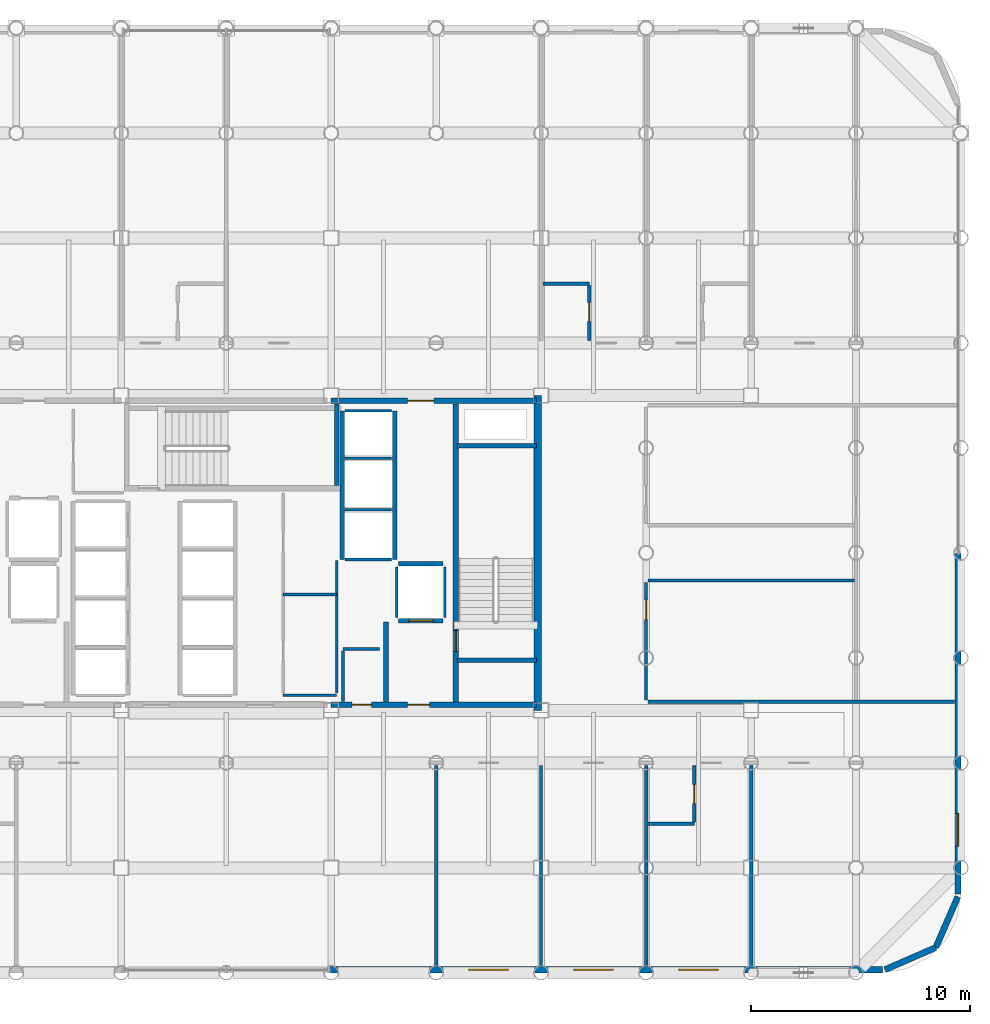
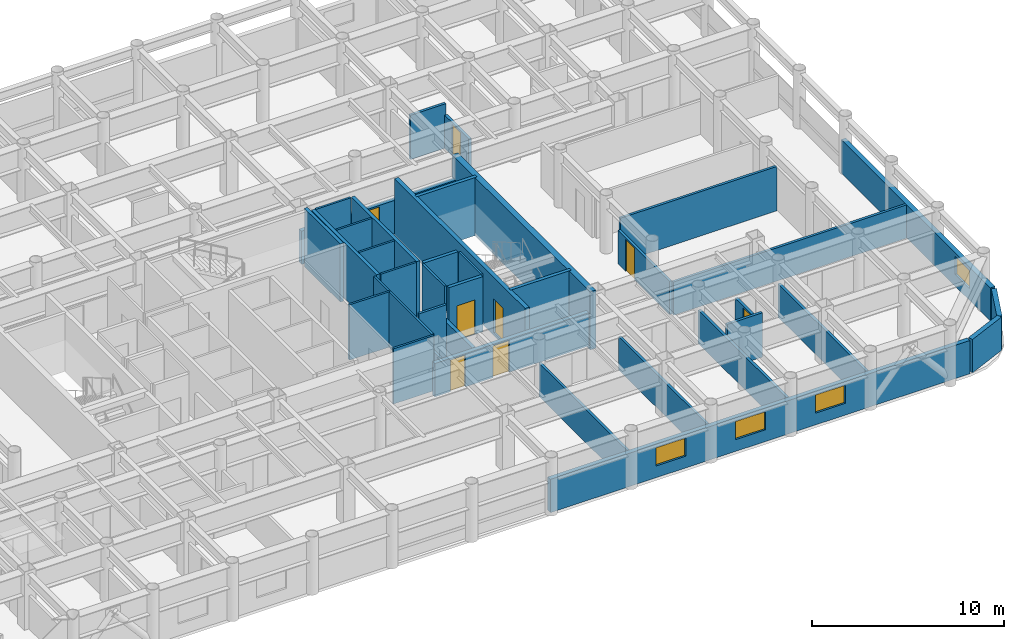
# One storey, part 19 of 22: 38 walls, 8 doors, 4 windows, 12 openings.
"""IFC4 building model written with IfcOpenShell, lengths in metres."""

from ifc_helpers import new_model, si_unit, direction, frame, frame_2d, origin, place, context, subcontext, project, spatial, rectangle, extrude, material, layer, layer_set, type_object, element, fill, save


model = new_model("IFC4")

# Units and contexts
model_context = context("Model", 3, precision=1e-05, world=origin(), true_north=direction((0.0, 1.0)))
body_context = subcontext(model_context, "Body", "Model", "MODEL_VIEW")
ifc_project = project(units=[si_unit("LENGTHUNIT", "METRE"), si_unit("AREAUNIT", "SQUARE_METRE"), si_unit("VOLUMEUNIT", "CUBIC_METRE"), si_unit("PLANEANGLEUNIT", "RADIAN"), si_unit("MASSUNIT", "GRAM", prefix="KILO")], contexts=[model_context])

# Site, building, storey
site_placement = place(None, origin())
site = spatial("IfcSite", under=ifc_project, at=site_placement, CompositionType="ELEMENT")
building_placement = place(site_placement, origin())
building = spatial("IfcBuilding", under=site, at=building_placement, Name="Kallvorn Hotel Tower", CompositionType="ELEMENT")
storey_placement = place(building_placement, frame((0.0, 0.0, 95.199951171875)))
storey = spatial("IfcBuildingStorey", under=building, at=storey_placement, Name="L22", CompositionType="ELEMENT", Elevation=95.199951171875)

# Walls
ifc_material_1 = material(Name="Concrete C50/60", Category="concrete")
ifc_layer_1 = layer(ifc_material_1, 0.35009765625)
ifc_layer_set_1 = layer_set([ifc_layer_1], Name="WL_CORE_350")
wall_type_1 = type_object("IfcWallType", Name="WL_CORE_350", PredefinedType="SHEAR", material=ifc_layer_set_1)
wall_1_placement = place(storey_placement, frame((14.239990234375, -7.199951171875, -0.179931640625), z_axis=(0.0, 0.0, 1.0), x_axis=(0.0, 1.0, 0.0)))
element("IfcWall", 1, at=wall_1_placement, inside=storey, type_object=wall_type_1, Name="L22 Core East Shear Wall", PredefinedType="SHEAR", context=body_context, shape_type="SweptSolid", body=[
    extrude(rectangle(XDim=14.39990234375, YDim=0.35009765625, at=frame_2d((7.199951171875, 0.0))), origin(), (0.0, 0.0, 1.0), 3.699951171875),
])
ifc_material_2 = material(Name="Fire-rated double-layer acoustic gypsum drywall EI 60")
ifc_layer_2 = layer(ifc_material_2, 0.159912109375)
ifc_layer_set_2 = layer_set([ifc_layer_2], Name="WL_DEMISE_160")
wall_type_2 = type_object("IfcWallType", Name="WL_DEMISE_160", PredefinedType="PARTITIONING", material=ifc_layer_set_2)
wall_2_placement = place(storey_placement, frame((19.280029296875, -12.39501953125, 0.0), z_axis=(0.0, 0.0, 1.0), x_axis=(1.0, 0.0, 0.0)))
element("IfcWall", 2, at=wall_2_placement, inside=storey, type_object=wall_type_2, Name="L22 Suite 2204 Deluxe King Room Partition", PredefinedType="PARTITIONING", context=body_context, shape_type="SweptSolid", body=[
    extrude(rectangle(XDim=2.1298828125, YDim=0.159912109375, at=frame_2d((1.06494140625, 0.0))), origin(), (0.0, 0.0, 1.0), 2.820068359375),
])
wall_3_placement = place(storey_placement, frame((14.47998046875, 12.320068359375, 0.0), z_axis=(0.0, 0.0, 1.0), x_axis=(1.0, 0.0, 0.0)))
element("IfcWall", 3, at=wall_3_placement, inside=storey, type_object=wall_type_2, Name="L22 Suite 2206 Standard King Room Partition", PredefinedType="PARTITIONING", context=body_context, shape_type="SweptSolid", body=[
    extrude(rectangle(XDim=2.130126953125, YDim=0.159912109375, at=frame_2d((1.06494140625, 0.0))), origin(), (0.0, 0.0, 1.0), 2.820068359375),
])

# Wall, opening, door
wall_4_placement = place(storey_placement, frame((16.610107421875, 9.719970703125, 0.0), z_axis=(0.0, 0.0, 1.0), x_axis=(0.0, 1.0, 0.0)))
wall_4 = element("IfcWall", 4, at=wall_4_placement, inside=storey, type_object=wall_type_2, Name="L22 Suite 2206 Standard King Room Partition", PredefinedType="PARTITIONING", context=body_context, shape_type="SweptSolid", body=[
    extrude(rectangle(XDim=2.51513671875, YDim=0.159912109375, at=frame_2d((1.257568359375, 0.0))), origin(), (0.0, 0.0, 1.0), 2.1201171875),
])
opening_1_placement = place(wall_4_placement, frame((0.8701171875, 0.0, 0.0)))
opening_1 = element("IfcOpeningElement", 5, at=opening_1_placement, cuts=wall_4, Name="Opening BD-IA", PredefinedType="OPENING", context=body_context, shape_type="SweptSolid", body=[
    extrude(rectangle(XDim=0.860107421875, YDim=2.02001953125, at=frame_2d((0.43017578125, 1.010009765625))), frame((0.0, 0.094970703125, 0.0), z_axis=(0.0, -1.0, 0.0), x_axis=(1.0, 0.0, 0.0)), (0.0, 0.0, 1.0), 0.18994140625),
])
ifc_material_3 = material(Name="Solid-core walnut veneer fire-rated timber door leaf", Category="wood")
door_type_1 = type_object("IfcDoorType", Name="DR_BATH_860x2020", OperationType="NOTDEFINED", PredefinedType="DOOR", material=ifc_material_3)
door_1_placement = place(opening_1_placement, origin())
door_1 = element("IfcDoor", 6, at=door_1_placement, inside=storey, type_object=door_type_1, Name="L22 Suite 2206 En-Suite Bathroom Door", OperationType="SINGLE_SWING_RIGHT", OverallHeight=2.02001953125, OverallWidth=0.860107421875, PredefinedType="DOOR", context=body_context, shape_type="SweptSolid", body=[
    extrude(rectangle(XDim=0.860107421875, YDim=2.02001953125, at=frame_2d((0.43017578125, 1.010009765625))), frame((0.0, 0.02490234375, 0.0), z_axis=(0.0, -1.0, 0.0), x_axis=(1.0, 0.0, 0.0)), (0.0, 0.0, 1.0), 0.050048828125),
])
fill(opening_1, door_1)

# Wall
wall_5_placement = place(storey_placement, frame((19.199951171875, -18.909912109375, 0.0), z_axis=(0.0, 0.0, 1.0), x_axis=(0.0, 1.0, 0.0)))
element("IfcWall", 7, at=wall_5_placement, inside=storey, type_object=wall_type_2, Name="L22 Suite 2204 Deluxe King Room Partition", PredefinedType="PARTITIONING", context=body_context, shape_type="SweptSolid", body=[
    extrude(rectangle(XDim=9.18994140625, YDim=0.159912109375, at=frame_2d((4.594970703125, 0.0))), origin(), (0.0, 0.0, 1.0), 2.1201171875),
])

# Wall, opening, door
wall_6_placement = place(storey_placement, frame((21.409912109375, -12.31005859375, 0.0), z_axis=(0.0, 0.0, 1.0), x_axis=(0.0, 1.0, 0.0)))
wall_6 = element("IfcWall", 8, at=wall_6_placement, inside=storey, type_object=wall_type_2, Name="L22 Suite 2204 Deluxe King Room Partition", PredefinedType="PARTITIONING", context=body_context, shape_type="SweptSolid", body=[
    extrude(rectangle(XDim=2.590087890625, YDim=0.159912109375, at=frame_2d((1.294921875, 0.0))), origin(), (0.0, 0.0, 1.0), 2.1201171875),
])
opening_2_placement = place(wall_6_placement, frame((0.860107421875, 0.0, 0.0)))
opening_2 = element("IfcOpeningElement", 9, at=opening_2_placement, cuts=wall_6, Name="Opening BD-IA", PredefinedType="OPENING", context=body_context, shape_type="SweptSolid", body=[
    extrude(rectangle(XDim=0.860107421875, YDim=2.02001953125, at=frame_2d((0.43017578125, 1.010009765625))), frame((0.0, 0.094970703125, 0.0), z_axis=(0.0, -1.0, 0.0), x_axis=(1.0, 0.0, 0.0)), (0.0, 0.0, 1.0), 0.18994140625),
])
door_2_placement = place(opening_2_placement, origin())
door_2 = element("IfcDoor", 10, at=door_2_placement, inside=storey, type_object=door_type_1, Name="L22 Suite 2204 En-Suite Bathroom Door", OperationType="SINGLE_SWING_RIGHT", OverallHeight=2.02001953125, OverallWidth=0.860107421875, PredefinedType="DOOR", context=body_context, shape_type="SweptSolid", body=[
    extrude(rectangle(XDim=0.860107421875, YDim=2.02001953125, at=frame_2d((0.43017578125, 1.010009765625))), frame((0.0, 0.02490234375, 0.0), z_axis=(0.0, -1.0, 0.0), x_axis=(1.0, 0.0, 0.0)), (0.0, 0.0, 1.0), 0.050048828125),
])
fill(opening_2, door_2)

# Walls
wall_7_placement = place(storey_placement, frame((24.0, -18.909912109375, 0.0), z_axis=(0.0, 0.0, 1.0), x_axis=(0.0, 1.0, 0.0)))
element("IfcWall", 11, at=wall_7_placement, inside=storey, type_object=wall_type_2, Name="L22 Suite 2204 Deluxe King Room Partition", PredefinedType="PARTITIONING", context=body_context, shape_type="SweptSolid", body=[
    extrude(rectangle(XDim=9.18994140625, YDim=0.159912109375, at=frame_2d((4.594970703125, 0.0))), origin(), (0.0, 0.0, 1.0), 2.1201171875),
])
ifc_material_4 = material(Name="Precast basalt-clad insulated concrete wall C40/50", Category="masonry")
ifc_layer_3 = layer(ifc_material_4, 0.280029296875)
ifc_layer_set_3 = layer_set([ifc_layer_3], Name="WL_EXT_LOGGIA_280")
wall_type_3 = type_object("IfcWallType", Name="WL_EXT_LOGGIA_280", PredefinedType="SOLIDWALL", material=ifc_layer_set_3)
wall_8_placement = place(storey_placement, frame((30.120849609375, -19.057861328125, 0.0), z_axis=(0.0, 0.0, 1.0), x_axis=(0.917060872934, 0.398747232384, 0.0)))
element("IfcWall", 12, at=wall_8_placement, inside=storey, type_object=wall_type_3, Name="L22 Rounded Corner Exterior Wall SE1", PredefinedType="SOLIDWALL", context=body_context, shape_type="SweptSolid", body=[
    extrude(rectangle(XDim=2.5361328125, YDim=0.280029296875, at=frame_2d((1.26806640625, 0.0))), origin(), (0.0, 0.0, 1.0), 2.1201171875),
])
wall_9_placement = place(storey_placement, frame((32.446533203125, -18.046630859375, 0.0), z_axis=(0.0, 0.0, 1.0), x_axis=(0.398792985289, 0.917040977756, 0.0)))
element("IfcWall", 13, at=wall_9_placement, inside=storey, type_object=wall_type_3, Name="L22 Rounded Corner Exterior Wall SE2", PredefinedType="SOLIDWALL", context=body_context, shape_type="SweptSolid", body=[
    extrude(rectangle(XDim=2.536376953125, YDim=0.280029296875, at=frame_2d((1.26806640625, 0.0))), origin(), (0.0, 0.0, 1.0), 2.1201171875),
])

# Wall, openings, windows
wall_10_placement = place(storey_placement, frame((4.75, -19.06005859375, 0.0), z_axis=(0.0, 0.0, 1.0), x_axis=(1.0, 0.0, 0.0)))
wall_10 = element("IfcWall", 14, at=wall_10_placement, inside=storey, type_object=wall_type_3, Name="L22 Exterior Envelope Wall EW-L22-SE", PredefinedType="SOLIDWALL", context=body_context, shape_type="SweptSolid", body=[
    extrude(rectangle(XDim=25.25, YDim=0.280029296875, at=frame_2d((12.625, 0.0))), origin(), (0.0, 0.0, 1.0), 2.1201171875),
])
opening_3_placement = place(wall_10_placement, frame((6.35009765625, 0.0, 0.75)))
opening_3 = element("IfcOpeningElement", 15, at=opening_3_placement, cuts=wall_10, Name="Opening W04A", PredefinedType="OPENING", context=body_context, shape_type="SweptSolid", body=[
    extrude(rectangle(XDim=1.800048828125, YDim=1.14990234375, at=frame_2d((0.89990234375, 0.574951171875))), frame((0.0, 0.155029296875, 0.0), z_axis=(0.0, -1.0, 0.0), x_axis=(1.0, 0.0, 0.0)), (0.0, 0.0, 1.0), 0.31005859375),
])
opening_4_placement = place(wall_10_placement, frame((11.14990234375, 0.0, 0.75)))
opening_4 = element("IfcOpeningElement", 16, at=opening_4_placement, cuts=wall_10, Name="Opening W04A", PredefinedType="OPENING", context=body_context, shape_type="SweptSolid", body=[
    extrude(rectangle(XDim=1.800048828125, YDim=1.14990234375, at=frame_2d((0.89990234375, 0.574951171875))), frame((0.0, 0.155029296875, 0.0), z_axis=(0.0, -1.0, 0.0), x_axis=(1.0, 0.0, 0.0)), (0.0, 0.0, 1.0), 0.31005859375),
])
opening_5_placement = place(wall_10_placement, frame((15.949951171875, 0.0, 0.75)))
opening_5 = element("IfcOpeningElement", 17, at=opening_5_placement, cuts=wall_10, Name="Opening W04A", PredefinedType="OPENING", context=body_context, shape_type="SweptSolid", body=[
    extrude(rectangle(XDim=1.800048828125, YDim=1.14990234375, at=frame_2d((0.89990234375, 0.574951171875))), frame((0.0, 0.155029296875, 0.0), z_axis=(0.0, -1.0, 0.0), x_axis=(1.0, 0.0, 0.0)), (0.0, 0.0, 1.0), 0.31005859375),
])
ifc_material_5 = material(Name="Double-glazed low-e solar-control dark glass", Category="glass")
window_type_1 = type_object("IfcWindowType", Name="WN_HTL_1800x1150", PartitioningType="SINGLE_PANEL", PredefinedType="WINDOW", material=ifc_material_5)
window_1_placement = place(opening_3_placement, origin())
window_1 = element("IfcWindow", 18, at=window_1_placement, inside=storey, type_object=window_type_1, Name="L22 Guestroom Exterior Window 06", OverallHeight=1.14990234375, OverallWidth=1.800048828125, PartitioningType="SINGLE_PANEL", PredefinedType="WINDOW", context=body_context, shape_type="SweptSolid", body=[
    extrude(rectangle(XDim=1.800048828125, YDim=1.14990234375, at=frame_2d((0.89990234375, 0.574951171875))), frame((0.0, 0.030029296875, 0.0), z_axis=(0.0, -1.0, 0.0), x_axis=(1.0, 0.0, 0.0)), (0.0, 0.0, 1.0), 0.06005859375),
])
fill(opening_3, window_1)
window_2_placement = place(opening_4_placement, origin())
window_2 = element("IfcWindow", 19, at=window_2_placement, inside=storey, type_object=window_type_1, Name="L22 Guestroom Exterior Window 07", OverallHeight=1.14990234375, OverallWidth=1.800048828125, PartitioningType="SINGLE_PANEL", PredefinedType="WINDOW", context=body_context, shape_type="SweptSolid", body=[
    extrude(rectangle(XDim=1.800048828125, YDim=1.14990234375, at=frame_2d((0.89990234375, 0.574951171875))), frame((0.0, 0.030029296875, 0.0), z_axis=(0.0, -1.0, 0.0), x_axis=(1.0, 0.0, 0.0)), (0.0, 0.0, 1.0), 0.06005859375),
])
fill(opening_4, window_2)
window_3_placement = place(opening_5_placement, origin())
window_3 = element("IfcWindow", 20, at=window_3_placement, inside=storey, type_object=window_type_1, Name="L22 Guestroom Exterior Window 08", OverallHeight=1.14990234375, OverallWidth=1.800048828125, PartitioningType="SINGLE_PANEL", PredefinedType="WINDOW", context=body_context, shape_type="SweptSolid", body=[
    extrude(rectangle(XDim=1.800048828125, YDim=1.14990234375, at=frame_2d((0.89990234375, 0.574951171875))), frame((0.0, 0.030029296875, 0.0), z_axis=(0.0, -1.0, 0.0), x_axis=(1.0, 0.0, 0.0)), (0.0, 0.0, 1.0), 0.06005859375),
])
fill(opening_5, window_3)

# Wall, opening, window
wall_11_placement = place(storey_placement, frame((33.4599609375, -15.60009765625, 0.0), z_axis=(0.0, 0.0, 1.0), x_axis=(0.0, 1.0, 0.0)))
wall_11 = element("IfcWall", 21, at=wall_11_placement, inside=storey, type_object=wall_type_3, Name="L22 Exterior Envelope Wall EW-L22-ES", PredefinedType="SOLIDWALL", context=body_context, shape_type="SweptSolid", body=[
    extrude(rectangle(XDim=15.580078125, YDim=0.280029296875, at=frame_2d((7.7900390625, 0.0))), origin(), (0.0, 0.0, 1.0), 2.1201171875),
])
opening_6_placement = place(wall_11_placement, frame((2.18994140625, 0.0, 0.75)))
opening_6 = element("IfcOpeningElement", 22, at=opening_6_placement, cuts=wall_11, Name="Opening W05A", PredefinedType="OPENING", context=body_context, shape_type="SweptSolid", body=[
    extrude(rectangle(XDim=1.5, YDim=1.14990234375, at=frame_2d((0.75, 0.574951171875))), frame((0.0, 0.155029296875, 0.0), z_axis=(0.0, -1.0, 0.0), x_axis=(1.0, 0.0, 0.0)), (0.0, 0.0, 1.0), 0.31005859375),
])
ifc_material_6 = material(Name="Double-glazed low-e solar-control dark glass", Category="glass")
window_type_2 = type_object("IfcWindowType", Name="WN_HTL_1500x1150", PartitioningType="SINGLE_PANEL", PredefinedType="WINDOW", material=ifc_material_6)
window_4_placement = place(opening_6_placement, origin())
window_4 = element("IfcWindow", 23, at=window_4_placement, inside=storey, type_object=window_type_2, Name="L22 Flank Wing Window 02", OverallHeight=1.14990234375, OverallWidth=1.5, PartitioningType="SINGLE_PANEL", PredefinedType="WINDOW", context=body_context, shape_type="SweptSolid", body=[
    extrude(rectangle(XDim=1.5, YDim=1.14990234375, at=frame_2d((0.75, 0.574951171875))), frame((0.0, 0.030029296875, 0.0), z_axis=(0.0, -1.0, 0.0), x_axis=(1.0, 0.0, 0.0)), (0.0, 0.0, 1.0), 0.06005859375),
])
fill(opening_6, window_4)

# Walls
ifc_material_7 = material(Name="Concrete C40/50", Category="concrete")
ifc_layer_4 = layer(ifc_material_7, 0.219970703125)
ifc_layer_set_4 = layer_set([ifc_layer_4], Name="WL_FFL_220")
wall_type_4 = type_object("IfcWallType", Name="WL_FFL_220", PredefinedType="SOLIDWALL", material=ifc_layer_set_4)
wall_12_placement = place(storey_placement, frame((7.300048828125, -6.820068359375, 0.0), z_axis=(0.0, 0.0, 1.0), x_axis=(0.0, 1.0, 0.0)))
element("IfcWall", 24, at=wall_12_placement, inside=storey, type_object=wall_type_4, Name="L22 Firefighting Lobby East Divider Wall", PredefinedType="SOLIDWALL", context=body_context, shape_type="SweptSolid", body=[
    extrude(rectangle(XDim=3.670166015625, YDim=0.219970703125, at=frame_2d((1.8349609375, 0.0))), origin(), (0.0, 0.0, 1.0), 2.1201171875),
])
ifc_material_8 = material(Name="Concrete C40/50", Category="concrete")
ifc_layer_5 = layer(ifc_material_8, 0.199951171875)
ifc_layer_set_5 = layer_set([ifc_layer_5], Name="WL_HOIST_200")
wall_type_5 = type_object("IfcWallType", Name="WL_HOIST_200", PredefinedType="SOLIDWALL", material=ifc_layer_set_5)
for number, where, z_axis, x_axis, name in (
    (25, (10.550048828125, -4.89990234375, -0.179931640625), (0.0, 0.0, 1.0), (1.0, 0.0, 0.0), "L22 Stair ST2 South Wall"),
    (26, (10.550048828125, 4.89990234375, -0.179931640625), (0.0, 0.0, 1.0), (1.0, 0.0, 0.0), "L22 Stair ST2 North Wall"),
):
    element("IfcWall", number, at=place(storey_placement, frame(where, z_axis=z_axis, x_axis=x_axis)), inside=storey, type_object=wall_type_5, Name=name, PredefinedType="SOLIDWALL", context=body_context, shape_type="SweptSolid", body=[
        extrude(rectangle(XDim=3.64990234375, YDim=0.199951171875, at=frame_2d((1.824951171875, 0.0))), origin(), (0.0, 0.0, 1.0), 3.699951171875),
    ])
wall_13_placement = place(storey_placement, frame((5.06005859375, 3.080078125, -0.179931640625), z_axis=(0.0, 0.0, 1.0), x_axis=(0.0, 1.0, 0.0)))
element("IfcWall", 27, at=wall_13_placement, inside=storey, type_object=wall_type_5, Name="L22 Stair ST3 East Wall", PredefinedType="SOLIDWALL", context=body_context, shape_type="SweptSolid", body=[
    extrude(rectangle(XDim=3.739990234375, YDim=0.199951171875, at=frame_2d((1.8701171875, 0.0))), origin(), (0.0, 0.0, 1.0), 3.699951171875),
])
for number, where, z_axis, x_axis, name in (
    (28, (7.699951171875, -0.300048828125, 0.0), (0.0, 0.0, 1.0), (0.0, 1.0, 0.0), "L22 Lift Bank OBS Landing Wall"),
    (29, (5.300048828125, -0.300048828125, 0.0), (0.0, 0.0, 1.0), (0.0, 1.0, 0.0), "L22 Lift Bank OBS Rear Shaft Wall"),
):
    element("IfcWall", number, at=place(storey_placement, frame(where, z_axis=z_axis, x_axis=x_axis)), inside=storey, type_object=wall_type_5, Name=name, PredefinedType="SOLIDWALL", context=body_context, shape_type="SweptSolid", body=[
        extrude(rectangle(XDim=6.800048828125, YDim=0.199951171875, at=frame_2d((3.39990234375, 0.0))), origin(), (0.0, 0.0, 1.0), 3.52001953125),
    ])

# Wall, opening, door
wall_14_placement = place(storey_placement, frame((7.8798828125, -3.10009765625, 0.0), z_axis=(0.0, 0.0, 1.0), x_axis=(1.0, 0.0, 0.0)))
wall_14 = element("IfcWall", 30, at=wall_14_placement, inside=storey, type_object=wall_type_5, Name="L22 FL-2 Landing Wall", PredefinedType="SOLIDWALL", context=body_context, shape_type="SweptSolid", body=[
    extrude(rectangle(XDim=2.0400390625, YDim=0.199951171875, at=frame_2d((1.02001953125, 0.0))), origin(), (0.0, 0.0, 1.0), 3.52001953125),
])
opening_7_placement = place(wall_14_placement, frame((0.469970703125, 0.0, 0.0)))
opening_7 = element("IfcOpeningElement", 31, at=opening_7_placement, cuts=wall_14, Name="Opening LD-FL-2", PredefinedType="OPENING", context=body_context, shape_type="SweptSolid", body=[
    extrude(rectangle(XDim=1.10009765625, YDim=2.199951171875, at=frame_2d((0.550048828125, 1.10009765625))), frame((0.0, 0.114990234375, 0.0), z_axis=(0.0, -1.0, 0.0), x_axis=(1.0, 0.0, 0.0)), (0.0, 0.0, 1.0), 0.22998046875),
])
ifc_material_9 = material(Name="Brushed stainless-steel automatic sliding lift landing door", Category="steel")
door_type_2 = type_object("IfcDoorType", Name="LD_PASS_1100x2200", OperationType="SLIDING_TO_LEFT", PredefinedType="DOOR", material=ifc_material_9)
door_3_placement = place(opening_7_placement, origin())
door_3 = element("IfcDoor", 32, at=door_3_placement, inside=storey, type_object=door_type_2, Name="L22 Lift Landing Sliding Door LD-FL-2", OperationType="SLIDING_TO_LEFT", OverallHeight=2.199951171875, OverallWidth=1.10009765625, PredefinedType="DOOR", context=body_context, shape_type="SweptSolid", body=[
    extrude(rectangle(XDim=1.10009765625, YDim=2.199951171875, at=frame_2d((0.550048828125, 1.10009765625))), frame((0.0, 0.02490234375, 0.0), z_axis=(0.0, -1.0, 0.0), x_axis=(1.0, 0.0, 0.0)), (0.0, 0.0, 1.0), 0.050048828125),
])
fill(opening_7, door_3)

# Walls
wall_15_placement = place(storey_placement, frame((7.8798828125, -0.5, 0.0), z_axis=(0.0, 0.0, 1.0), x_axis=(1.0, 0.0, 0.0)))
element("IfcWall", 33, at=wall_15_placement, inside=storey, type_object=wall_type_5, Name="L22 FL-2 Rear Shaft Wall", PredefinedType="SOLIDWALL", context=body_context, shape_type="SweptSolid", body=[
    extrude(rectangle(XDim=2.0400390625, YDim=0.199951171875, at=frame_2d((1.02001953125, 0.0))), origin(), (0.0, 0.0, 1.0), 3.52001953125),
])
ifc_material_10 = material(Name="Fire-rated double-layer acoustic gypsum drywall EI 60")
ifc_layer_6 = layer(ifc_material_10, 0.1201171875)
ifc_layer_set_6 = layer_set([ifc_layer_6], Name="WL_INT_120")
wall_type_6 = type_object("IfcWallType", Name="WL_INT_120", PredefinedType="PARTITIONING", material=ifc_layer_set_6)
for number, where, z_axis, x_axis, name in (
    (34, (5.43994140625, -0.300048828125, 0.0), (0.0, 0.0, 1.0), (1.0, 0.0, 0.0), "L22 Lift Bank OBS South Closure Wall"),
    (35, (5.43994140625, 1.97509765625, 0.0), (0.0, 0.0, 1.0), (1.0, 0.0, 0.0), "L22 OB-01 Hoistway Divider"),
    (36, (5.43994140625, 4.324951171875, 0.0), (0.0, 0.0, 1.0), (1.0, 0.0, 0.0), "L22 OB-02 Hoistway Divider"),
    (37, (5.43994140625, 6.5, 0.0), (0.0, 0.0, 1.0), (1.0, 0.0, 0.0), "L22 OB-03 Hoistway Divider"),
):
    element("IfcWall", number, at=place(storey_placement, frame(where, z_axis=z_axis, x_axis=x_axis)), inside=storey, type_object=wall_type_6, Name=name, PredefinedType="PARTITIONING", context=body_context, shape_type="SweptSolid", body=[
        extrude(rectangle(XDim=2.1201171875, YDim=0.1201171875, at=frame_2d((1.06005859375, 0.0))), origin(), (0.0, 0.0, 1.0), 3.52001953125),
    ])
for number, where, z_axis, x_axis, name in (
    (38, (7.800048828125, -2.9599609375, 0.0), (0.0, 0.0, 1.0), (0.0, 1.0, 0.0), "L22 FL-2 West Shaft Wall"),
    (39, (10.0, -2.9599609375, 0.0), (0.0, 0.0, 1.0), (0.0, 1.0, 0.0), "L22 FL-2 East Shaft Wall"),
):
    element("IfcWall", number, at=place(storey_placement, frame(where, z_axis=z_axis, x_axis=x_axis)), inside=storey, type_object=wall_type_6, Name=name, PredefinedType="PARTITIONING", context=body_context, shape_type="SweptSolid", body=[
        extrude(rectangle(XDim=2.320068359375, YDim=0.1201171875, at=frame_2d((1.16015625, 0.0))), origin(), (0.0, 0.0, 1.0), 3.52001953125),
    ])
for number, where, z_axis, x_axis, name in (
    (40, (2.60009765625, -6.5, 0.0), (0.0, 0.0, 1.0), (1.0, 0.0, 0.0), "L22 East Core Amenities and Minibar Store Partition"),
    (41, (2.60009765625, -1.89990234375, 0.0), (0.0, 0.0, 1.0), (1.0, 0.0, 0.0), "L22 East Core Amenities and Minibar Store Partition"),
):
    element("IfcWall", number, at=place(storey_placement, frame(where, z_axis=z_axis, x_axis=x_axis)), inside=storey, type_object=wall_type_6, Name=name, PredefinedType="PARTITIONING", context=body_context, shape_type="SweptSolid", body=[
        extrude(rectangle(XDim=2.449951171875, YDim=0.1201171875, at=frame_2d((1.22509765625, 0.0))), origin(), (0.0, 0.0, 1.0), 3.52001953125),
    ])
wall_16_placement = place(storey_placement, frame((5.050048828125, -6.4150390625, 0.0), z_axis=(0.0, 0.0, 1.0), x_axis=(0.0, 1.0, 0.0)))
element("IfcWall", 42, at=wall_16_placement, inside=storey, type_object=wall_type_6, Name="L22 East Core Amenities and Minibar Store Partition", PredefinedType="PARTITIONING", context=body_context, shape_type="SweptSolid", body=[
    extrude(rectangle(XDim=6.074951171875, YDim=0.1201171875, at=frame_2d((3.03759765625, 0.0))), origin(), (0.0, 0.0, 1.0), 3.52001953125),
])
ifc_material_11 = material(Name="Fire-rated double-layer acoustic gypsum drywall EI 60")
ifc_layer_7 = layer(ifc_material_11, 0.14990234375)
ifc_layer_set_7 = layer_set([ifc_layer_7], Name="WL_PART_150")
wall_type_7 = type_object("IfcWallType", Name="WL_PART_150", PredefinedType="PARTITIONING", material=ifc_layer_set_7)
wall_17_placement = place(storey_placement, frame((19.280029296875, -6.800048828125, 0.0), z_axis=(0.0, 0.0, 1.0), x_axis=(1.0, 0.0, 0.0)))
element("IfcWall", 43, at=wall_17_placement, inside=storey, type_object=wall_type_7, Name="L22 L22 East Inner Club Bar Partition", PredefinedType="PARTITIONING", context=body_context, shape_type="SweptSolid", body=[
    extrude(rectangle(XDim=14.030029296875, YDim=0.14990234375, at=frame_2d((7.01513671875, 0.0))), origin(), (0.0, 0.0, 1.0), 2.1201171875),
])
wall_18_placement = place(storey_placement, frame((19.280029296875, -1.260009765625, 0.0), z_axis=(0.0, 0.0, 1.0), x_axis=(1.0, 0.0, 0.0)))
element("IfcWall", 44, at=wall_18_placement, inside=storey, type_object=wall_type_7, Name="L22 L22 East Inner Club Bar Partition", PredefinedType="PARTITIONING", context=body_context, shape_type="SweptSolid", body=[
    extrude(rectangle(XDim=9.43994140625, YDim=0.14990234375, at=frame_2d((4.719970703125, 0.0))), origin(), (0.0, 0.0, 1.0), 2.820068359375),
])
for number, where, z_axis, x_axis, name in (
    (45, (9.60009765625, -18.909912109375, 0.0), (0.0, 0.0, 1.0), (0.0, 1.0, 0.0), "L22 L22 Panorama Banquet Event Hall 2 Partition"),
    (46, (14.39990234375, -18.909912109375, 0.0), (0.0, 0.0, 1.0), (0.0, 1.0, 0.0), "L22 L22 Restaurant Culinary Catering Kitchen 3-1 Partition"),
):
    element("IfcWall", number, at=place(storey_placement, frame(where, z_axis=z_axis, x_axis=x_axis)), inside=storey, type_object=wall_type_7, Name=name, PredefinedType="PARTITIONING", context=body_context, shape_type="SweptSolid", body=[
        extrude(rectangle(XDim=9.18994140625, YDim=0.14990234375, at=frame_2d((4.594970703125, 0.0))), origin(), (0.0, 0.0, 1.0), 2.1201171875),
    ])

# Wall, opening, door
wall_19_placement = place(storey_placement, frame((19.199951171875, -6.715087890625, 0.0), z_axis=(0.0, 0.0, 1.0), x_axis=(0.0, 1.0, 0.0)))
wall_19 = element("IfcWall", 47, at=wall_19_placement, inside=storey, type_object=wall_type_7, Name="L22 L22 East Inner Club Bar Partition", PredefinedType="PARTITIONING", context=body_context, shape_type="SweptSolid", body=[
    extrude(rectangle(XDim=5.3701171875, YDim=0.14990234375, at=frame_2d((2.68505859375, 0.0))), origin(), (0.0, 0.0, 1.0), 2.1201171875),
])
opening_8_placement = place(wall_19_placement, frame((3.66015625, 0.0, 0.0)))
opening_8 = element("IfcOpeningElement", 48, at=opening_8_placement, cuts=wall_19, Name="Opening SVD1A", PredefinedType="OPENING", context=body_context, shape_type="SweptSolid", body=[
    extrude(rectangle(XDim=0.89990234375, YDim=2.02001953125, at=frame_2d((0.449951171875, 1.010009765625))), frame((0.0, 0.08984375, 0.0), z_axis=(0.0, -1.0, 0.0), x_axis=(1.0, 0.0, 0.0)), (0.0, 0.0, 1.0), 0.179931640625),
])
ifc_material_12 = material(Name="Galvanised painted steel fire-rated door assembly", Category="steel")
door_type_3 = type_object("IfcDoorType", Name="DR_SERV_900x2020", OperationType="NOTDEFINED", PredefinedType="DOOR", material=ifc_material_12)
door_4_placement = place(opening_8_placement, origin())
door_4 = element("IfcDoor", 49, at=door_4_placement, inside=storey, type_object=door_type_3, Name="L22 L22 East Inner Club Bar Door", OperationType="SINGLE_SWING_RIGHT", OverallHeight=2.02001953125, OverallWidth=0.89990234375, PredefinedType="DOOR", context=body_context, shape_type="SweptSolid", body=[
    extrude(rectangle(XDim=0.89990234375, YDim=2.02001953125, at=frame_2d((0.449951171875, 1.010009765625))), frame((0.0, 0.02490234375, 0.0), z_axis=(0.0, -1.0, 0.0), x_axis=(1.0, 0.0, 0.0)), (0.0, 0.0, 1.0), 0.050048828125),
])
fill(opening_8, door_4)

# Walls
ifc_material_13 = material(Name="Moisture-resistant acoustic plumbing chase wall EI 60")
ifc_layer_8 = layer(ifc_material_13, 0.139892578125)
ifc_layer_set_8 = layer_set([ifc_layer_8], Name="WL_PLUMB_140")
wall_type_8 = type_object("IfcWallType", Name="WL_PLUMB_140", PredefinedType="PLUMBINGWALL", material=ifc_layer_set_8)
wall_20_placement = place(storey_placement, frame((5.35009765625, -4.39990234375, 0.0), z_axis=(0.0, 0.0, 1.0), x_axis=(1.0, 0.0, 0.0)))
element("IfcWall", 50, at=wall_20_placement, inside=storey, type_object=wall_type_8, Name="L22 Core Staff Restroom WC Partition", PredefinedType="PLUMBINGWALL", context=body_context, shape_type="SweptSolid", body=[
    extrude(rectangle(XDim=1.64990234375, YDim=0.139892578125, at=frame_2d((0.824951171875, 0.0))), origin(), (0.0, 0.0, 1.0), 3.52001953125),
])
wall_21_placement = place(storey_placement, frame((5.35009765625, -6.800048828125, 0.0), z_axis=(0.0, 0.0, 1.0), x_axis=(0.0, 1.0, 0.0)))
element("IfcWall", 51, at=wall_21_placement, inside=storey, type_object=wall_type_8, Name="L22 Core Staff Restroom WC Partition", PredefinedType="PLUMBINGWALL", context=body_context, shape_type="SweptSolid", body=[
    extrude(rectangle(XDim=2.31494140625, YDim=0.139892578125, at=frame_2d((1.157470703125, 0.0))), origin(), (0.0, 0.0, 1.0), 2.1201171875),
])

# Wall, openings, doors
ifc_material_14 = material(Name="Concrete C40/50", Category="concrete")
ifc_layer_9 = layer(ifc_material_14, 0.25)
ifc_layer_set_9 = layer_set([ifc_layer_9], Name="WL_SHAFT_250")
wall_type_9 = type_object("IfcWallType", Name="WL_SHAFT_250", PredefinedType="SOLIDWALL", material=ifc_layer_set_9)
wall_22_placement = place(storey_placement, frame((4.800048828125, -6.949951171875, 0.0), z_axis=(0.0, 0.0, 1.0), x_axis=(1.0, 0.0, 0.0)))
wall_22 = element("IfcWall", 52, at=wall_22_placement, inside=storey, type_object=wall_type_9, Name="L22 Core South-East Wall", PredefinedType="SOLIDWALL", context=body_context, shape_type="SweptSolid", body=[
    extrude(rectangle(XDim=9.39990234375, YDim=0.25, at=frame_2d((4.699951171875, 0.0))), origin(), (0.0, 0.0, 1.0), 2.1201171875),
])
opening_9_placement = place(wall_22_placement, frame((3.5, 0.0, 0.0)))
opening_9 = element("IfcOpeningElement", 53, at=opening_9_placement, cuts=wall_22, Name="Opening FD1A", PredefinedType="OPENING", context=body_context, shape_type="SweptSolid", body=[
    extrude(rectangle(XDim=1.0, YDim=2.02001953125, at=frame_2d((0.5, 1.010009765625))), frame((0.0, 0.139892578125, 0.0), z_axis=(0.0, -1.0, 0.0), x_axis=(1.0, 0.0, 0.0)), (0.0, 0.0, 1.0), 0.280029296875),
])
opening_10_placement = place(wall_22_placement, frame((0.949951171875, 0.0, 0.0)))
opening_10 = element("IfcOpeningElement", 54, at=opening_10_placement, cuts=wall_22, Name="Opening SVD1A", PredefinedType="OPENING", context=body_context, shape_type="SweptSolid", body=[
    extrude(rectangle(XDim=0.89990234375, YDim=2.02001953125, at=frame_2d((0.449951171875, 1.010009765625))), frame((0.0, 0.139892578125, 0.0), z_axis=(0.0, -1.0, 0.0), x_axis=(1.0, 0.0, 0.0)), (0.0, 0.0, 1.0), 0.280029296875),
])
ifc_material_15 = material(Name="Galvanised painted steel fire-rated door assembly", Category="steel")
door_type_4 = type_object("IfcDoorType", Name="DR_FFL_1000x2020", OperationType="NOTDEFINED", PredefinedType="DOOR", material=ifc_material_15)
door_5_placement = place(opening_9_placement, origin())
door_5 = element("IfcDoor", 55, at=door_5_placement, inside=storey, type_object=door_type_4, Name="L22 Firefighting Lobby East Door", OperationType="SINGLE_SWING_LEFT", OverallHeight=2.02001953125, OverallWidth=1.0, PredefinedType="DOOR", context=body_context, shape_type="SweptSolid", body=[
    extrude(rectangle(XDim=1.0, YDim=2.02001953125, at=frame_2d((0.5, 1.010009765625))), frame((0.0, 0.02490234375, 0.0), z_axis=(0.0, -1.0, 0.0), x_axis=(1.0, 0.0, 0.0)), (0.0, 0.0, 1.0), 0.050048828125),
])
fill(opening_9, door_5)
door_6_placement = place(opening_10_placement, origin())
door_6 = element("IfcDoor", 56, at=door_6_placement, inside=storey, type_object=door_type_3, Name="L22 Core Staff Restroom WC Door", OperationType="SINGLE_SWING_RIGHT", OverallHeight=2.02001953125, OverallWidth=0.89990234375, PredefinedType="DOOR", context=body_context, shape_type="SweptSolid", body=[
    extrude(rectangle(XDim=0.89990234375, YDim=2.02001953125, at=frame_2d((0.449951171875, 1.010009765625))), frame((0.0, 0.02490234375, 0.0), z_axis=(0.0, -1.0, 0.0), x_axis=(1.0, 0.0, 0.0)), (0.0, 0.0, 1.0), 0.050048828125),
])
fill(opening_10, door_6)

# Wall, opening, door
wall_23_placement = place(storey_placement, frame((4.800048828125, 6.949951171875, 0.0), z_axis=(0.0, 0.0, 1.0), x_axis=(1.0, 0.0, 0.0)))
wall_23 = element("IfcWall", 57, at=wall_23_placement, inside=storey, type_object=wall_type_9, Name="L22 Core North-East Wall", PredefinedType="SOLIDWALL", context=body_context, shape_type="SweptSolid", body=[
    extrude(rectangle(XDim=9.39990234375, YDim=0.25, at=frame_2d((4.699951171875, 0.0))), origin(), (0.0, 0.0, 1.0), 2.1201171875),
])
opening_11_placement = place(wall_23_placement, frame((3.5, 0.0, 0.0)))
opening_11 = element("IfcOpeningElement", 58, at=opening_11_placement, cuts=wall_23, Name="Opening FD2A", PredefinedType="OPENING", context=body_context, shape_type="SweptSolid", body=[
    extrude(rectangle(XDim=1.199951171875, YDim=2.02001953125, at=frame_2d((0.60009765625, 1.010009765625))), frame((0.0, 0.139892578125, 0.0), z_axis=(0.0, -1.0, 0.0), x_axis=(1.0, 0.0, 0.0)), (0.0, 0.0, 1.0), 0.280029296875),
])
ifc_material_16 = material(Name="Galvanised painted steel fire-rated door assembly", Category="steel")
door_type_5 = type_object("IfcDoorType", Name="DR_LOBBY_1200x2020", OperationType="DOUBLE_DOOR_SINGLE_SWING", PredefinedType="DOOR", material=ifc_material_16)
door_7_placement = place(opening_11_placement, origin())
door_7 = element("IfcDoor", 59, at=door_7_placement, inside=storey, type_object=door_type_5, Name="L22 Observatory Shuttle Lobby Door", OperationType="DOUBLE_DOOR_SINGLE_SWING", OverallHeight=2.02001953125, OverallWidth=1.199951171875, PredefinedType="DOOR", context=body_context, shape_type="SweptSolid", body=[
    extrude(rectangle(XDim=1.199951171875, YDim=2.02001953125, at=frame_2d((0.60009765625, 1.010009765625))), frame((0.0, 0.02490234375, 0.0), z_axis=(0.0, -1.0, 0.0), x_axis=(1.0, 0.0, 0.0)), (0.0, 0.0, 1.0), 0.050048828125),
])
fill(opening_11, door_7)

wall_24_placement = place(storey_placement, frame((10.5, -6.820068359375, -0.179931640625), z_axis=(0.0, 0.0, 1.0), x_axis=(0.0, 1.0, 0.0)))
wall_24 = element("IfcWall", 60, at=wall_24_placement, inside=storey, type_object=wall_type_9, Name="L22 Stair ST2 Shaft Wall", PredefinedType="SOLIDWALL", context=body_context, shape_type="SweptSolid", body=[
    extrude(rectangle(XDim=13.64013671875, YDim=0.25, at=frame_2d((6.820068359375, 0.0))), origin(), (0.0, 0.0, 1.0), 3.699951171875),
])
opening_12_placement = place(wall_24_placement, frame((2.320068359375, 0.0, 0.179931640625)))
opening_12 = element("IfcOpeningElement", 61, at=opening_12_placement, cuts=wall_24, Name="Opening SD1", PredefinedType="OPENING", context=body_context, shape_type="SweptSolid", body=[
    extrude(rectangle(XDim=0.949951171875, YDim=2.14990234375, at=frame_2d((0.47509765625, 1.074951171875))), frame((0.0, 0.139892578125, 0.0), z_axis=(0.0, -1.0, 0.0), x_axis=(1.0, 0.0, 0.0)), (0.0, 0.0, 1.0), 0.280029296875),
])
ifc_material_17 = material(Name="Galvanised painted steel fire-rated door assembly", Category="steel")
door_type_6 = type_object("IfcDoorType", Name="DR_STAIR_950x2150", OperationType="NOTDEFINED", PredefinedType="DOOR", material=ifc_material_17)
door_8_placement = place(opening_12_placement, origin())
door_8 = element("IfcDoor", 62, at=door_8_placement, inside=storey, type_object=door_type_6, Name="L22 Exit Stair ST2 Fire Door", OperationType="SINGLE_SWING_RIGHT", OverallHeight=2.14990234375, OverallWidth=0.949951171875, PredefinedType="DOOR", context=body_context, shape_type="SweptSolid", body=[
    extrude(rectangle(XDim=0.949951171875, YDim=2.14990234375, at=frame_2d((0.47509765625, 1.074951171875))), frame((0.0, 0.02490234375, 0.0), z_axis=(0.0, -1.0, 0.0), x_axis=(1.0, 0.0, 0.0)), (0.0, 0.0, 1.0), 0.050048828125),
])
fill(opening_12, door_8)

save(model, "model.ifc")
